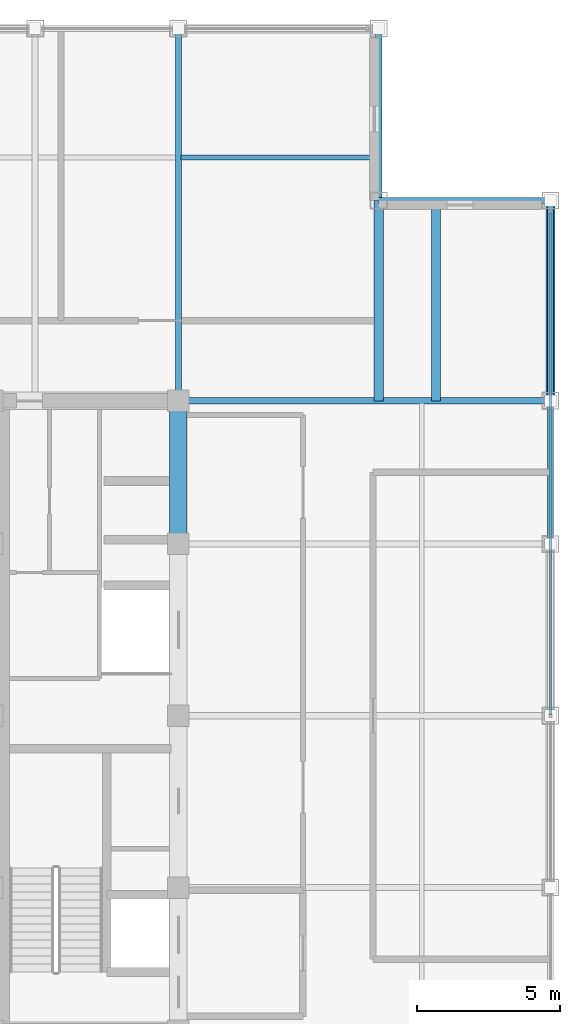
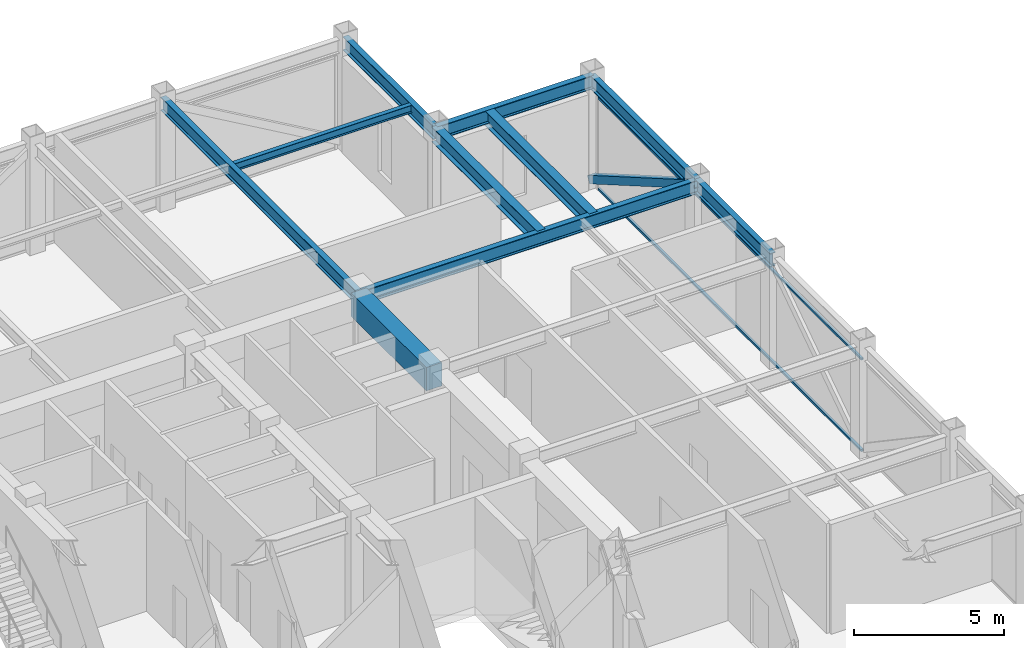
# One storey, part 19 of 27: 10 beams, 3 members, 1 element without a shape of its own.
"""IFC4 building model written with IfcOpenShell, lengths in metres."""

from ifc_helpers import new_model, si_unit, direction, frame, origin, origin_2d, place, context, subcontext, project, spatial, rectangle, hollow_rectangle, i_section, extrude, source, transform, mapped, material, material_profile, profile_set, type_object, element, aggregate, save


model = new_model("IFC4")

# Units and contexts
model_context = context("Model", 3, precision=1e-05, world=origin(), true_north=direction((0.0, 1.0)))
body_context = subcontext(model_context, "Body", "Model", "MODEL_VIEW")
ifc_project = project(units=[si_unit("LENGTHUNIT", "METRE"), si_unit("AREAUNIT", "SQUARE_METRE"), si_unit("VOLUMEUNIT", "CUBIC_METRE"), si_unit("PLANEANGLEUNIT", "RADIAN"), si_unit("MASSUNIT", "GRAM", prefix="KILO")], contexts=[model_context])

# Site, building, storey
site_placement = place(None, origin())
site = spatial("IfcSite", under=ifc_project, at=site_placement, CompositionType="ELEMENT")
building_placement = place(site_placement, origin())
building = spatial("IfcBuilding", under=site, at=building_placement, Name="Khorayat Bourse Tower", CompositionType="ELEMENT")
storey_placement = place(building_placement, frame((0.0, 0.0, 394.699951171875)))
storey = spatial("IfcBuildingStorey", under=building, at=storey_placement, Name="L93", CompositionType="ELEMENT", Elevation=394.699951171875)

# Beams
ifc_material_1 = material(Name="Concrete C60/75", Category="concrete")
ifc_material_profile_1 = material_profile(ifc_material_1, rectangle(XDim=0.60009765625, YDim=0.949951171875, at=origin_2d()), Name="RC 600x950")
ifc_profile_set_1 = profile_set([ifc_material_profile_1], Name="Concrete C60/75")
beam_type_1 = type_object("IfcBeamType", Name="BM-COUP-950", PredefinedType="BEAM", material=ifc_profile_set_1)
shared_shape_1 = source(origin(), body_context, "Body", "SweptSolid", [
    extrude(rectangle(XDim=0.60009765625, YDim=0.949951171875, at=origin_2d()), origin(), (0.0, 0.0, 1.0), 5.0),
])
beam_1_placement = place(storey_placement, frame((11.0, 6.0, 3.97509765625), z_axis=(0.0, 1.0, 0.0), x_axis=(-1.0, 0.0, 0.0)))
element("IfcBeam", 1, at=beam_1_placement, inside=storey, type_object=beam_type_1, Name="L93 BM-COUP-950 BM-L93-CRX-16", PredefinedType="BEAM", context=body_context, shape_type="MappedRepresentation", body=[
    mapped(shared_shape_1, transform((0.0, 0.0, 0.0), scale=1.0)),
])
ifc_material_2 = material(Name="Steel ASTM A992 Grade 50", Category="steel")
ifc_material_profile_2 = material_profile(ifc_material_2, i_section(OverallWidth=0.214111328125, OverallDepth=0.549072265625, WebThickness=0.0146484375, FlangeThickness=0.023681640625, FilletRadius=0.013916015625, at=origin_2d()), Name="W530X138")
ifc_profile_set_2 = profile_set([ifc_material_profile_2], Name="Steel ASTM A992 Grade 50")
beam_type_2 = type_object("IfcBeamType", Name="BM-SPAN-530", PredefinedType="SPANDREL", material=ifc_profile_set_2)
shared_shape_2 = source(origin(), body_context, "Body", "SweptSolid", [
    extrude(i_section(OverallWidth=0.214111328125, OverallDepth=0.549072265625, WebThickness=0.0146484375, FlangeThickness=0.023681640625, FilletRadius=0.013916015625, at=origin_2d()), origin(), (0.0, 0.0, 1.0), 5.0),
])
beam_2_placement = place(storey_placement, frame((24.0, 6.0, 4.175537109375), z_axis=(0.0, 1.0, 0.0), x_axis=(-1.0, 0.0, 0.0)))
element("IfcBeam", 2, at=beam_2_placement, inside=storey, type_object=beam_type_2, Name="L93 BM-SPAN-530 BM-L93-SPN-036", PredefinedType="SPANDREL", context=body_context, shape_type="MappedRepresentation", body=[
    mapped(shared_shape_2, transform((0.0, 0.0, 0.0), scale=1.0)),
])
shared_shape_3 = source(origin(), body_context, "Body", "SweptSolid", [
    extrude(i_section(OverallWidth=0.214111328125, OverallDepth=0.549072265625, WebThickness=0.0146484375, FlangeThickness=0.023681640625, FilletRadius=0.013916015625, at=origin_2d()), origin(), (0.0, 0.0, 1.0), 6.0),
])
for number, where, z_axis, x_axis, name in (
    (3, (18.0, 18.0, 4.175537109375), (1.0, 0.0, 0.0), (0.0, 1.0, 0.0), "L93 BM-SPAN-530 BM-L93-SPN-038"),
    (4, (18.0, 18.0, 4.175537109375), (0.0, 1.0, 0.0), (-1.0, 0.0, 0.0), "L93 BM-SPAN-530 BM-L93-SPN-039"),
):
    element("IfcBeam", number, at=place(storey_placement, frame(where, z_axis=z_axis, x_axis=x_axis)), inside=storey, type_object=beam_type_2, Name=name, PredefinedType="SPANDREL", context=body_context, shape_type="MappedRepresentation", body=[
        mapped(shared_shape_3, transform((0.0, 0.0, 0.0), scale=1.0)),
    ])
shared_shape_4 = source(origin(), body_context, "Body", "SweptSolid", [
    extrude(i_section(OverallWidth=0.214111328125, OverallDepth=0.549072265625, WebThickness=0.0146484375, FlangeThickness=0.023681640625, FilletRadius=0.013916015625, at=origin_2d()), origin(), (0.0, 0.0, 1.0), 7.0),
])
beam_3_placement = place(storey_placement, frame((24.0, 11.0, 4.175537109375), z_axis=(0.0, 1.0, 0.0), x_axis=(-1.0, 0.0, 0.0)))
element("IfcBeam", 5, at=beam_3_placement, inside=storey, type_object=beam_type_2, Name="L93 BM-SPAN-530 BM-L93-SPN-037", PredefinedType="SPANDREL", context=body_context, shape_type="MappedRepresentation", body=[
    mapped(shared_shape_4, transform((0.0, 0.0, 0.0), scale=1.0)),
])
ifc_material_profile_3 = material_profile(ifc_material_2, i_section(OverallWidth=0.214111328125, OverallDepth=0.549072265625, WebThickness=0.0146484375, FlangeThickness=0.023681640625, FilletRadius=0.013916015625, at=origin_2d()), Name="W530X138")
ifc_profile_set_3 = profile_set([ifc_material_profile_3], Name="Steel ASTM A992 Grade 50")
beam_type_3 = type_object("IfcBeamType", Name="BM-GIRD-530", PredefinedType="BEAM", material=ifc_profile_set_3)
shared_shape_5 = source(origin(), body_context, "Body", "SweptSolid", [
    extrude(i_section(OverallWidth=0.214111328125, OverallDepth=0.549072265625, WebThickness=0.0146484375, FlangeThickness=0.023681640625, FilletRadius=0.013916015625, at=origin_2d()), origin(), (0.0, 0.0, 1.0), 13.0),
])
for number, where, z_axis, x_axis, name in (
    (6, (11.0, 11.0, 4.175537109375), (0.0, 1.0, 0.0), (-1.0, 0.0, 0.0), "L93 BM-GIRD-530 BM-L93-RADY-064"),
    (7, (11.0, 11.0, 4.175537109375), (1.0, 0.0, 0.0), (0.0, 1.0, 0.0), "L93 BM-GIRD-530 BM-L93-RADX-074"),
):
    element("IfcBeam", number, at=place(storey_placement, frame(where, z_axis=z_axis, x_axis=x_axis)), inside=storey, type_object=beam_type_3, Name=name, PredefinedType="BEAM", context=body_context, shape_type="MappedRepresentation", body=[
        mapped(shared_shape_5, transform((0.0, 0.0, 0.0), scale=1.0)),
    ])
ifc_material_profile_4 = material_profile(ifc_material_2, i_section(OverallWidth=0.324951171875, OverallDepth=0.615966796875, WebThickness=0.013916015625, FlangeThickness=0.021484375, FilletRadius=0.01611328125, at=origin_2d()), Name="W610X174")
ifc_profile_set_4 = profile_set([ifc_material_profile_4], Name="Steel ASTM A992 Grade 50")
beam_type_4 = type_object("IfcBeamType", Name="BM-GIRD-610", PredefinedType="BEAM", material=ifc_profile_set_4)
shared_shape_6 = source(origin(), body_context, "Body", "SweptSolid", [
    extrude(i_section(OverallWidth=0.324951171875, OverallDepth=0.615966796875, WebThickness=0.013916015625, FlangeThickness=0.021484375, FilletRadius=0.01611328125, at=origin_2d()), origin(), (0.0, 0.0, 1.0), 7.0),
])
for number, where, z_axis, x_axis, name in (
    (8, (18.0, 11.0, 4.14208984375), (0.0, 1.0, 0.0), (-1.0, 0.0, 0.0), "L93 BM-GIRD-610 BM-L93-CNRY-079"),
    (9, (20.0, 11.0, 4.14208984375), (0.0, 1.0, 0.0), (-1.0, 0.0, 0.0), "L93 BM-GIRD-610 BM-L93-CNRY-083"),
):
    element("IfcBeam", number, at=place(storey_placement, frame(where, z_axis=z_axis, x_axis=x_axis)), inside=storey, type_object=beam_type_4, Name=name, PredefinedType="BEAM", context=body_context, shape_type="MappedRepresentation", body=[
        mapped(shared_shape_6, transform((0.0, 0.0, 0.0), scale=1.0)),
    ])
ifc_material_profile_5 = material_profile(ifc_material_2, i_section(OverallWidth=0.1669921875, OverallDepth=0.31689453125, WebThickness=0.007568359375, FlangeThickness=0.01318359375, FilletRadius=0.010009765625, at=origin_2d()), Name="W310X52")
ifc_profile_set_5 = profile_set([ifc_material_profile_5], Name="Steel ASTM A992 Grade 50")
beam_type_5 = type_object("IfcBeamType", Name="BM-JOIST-310", PredefinedType="JOIST", material=ifc_profile_set_5)
shared_shape_7 = source(origin(), body_context, "Body", "SweptSolid", [
    extrude(i_section(OverallWidth=0.1669921875, OverallDepth=0.31689453125, WebThickness=0.007568359375, FlangeThickness=0.01318359375, FilletRadius=0.010009765625, at=origin_2d()), origin(), (0.0, 0.0, 1.0), 6.81005859375),
])
beam_4_placement = place(storey_placement, frame((11.094970703125, 19.5, 4.29150390625), z_axis=(1.0, 0.0, 0.0), x_axis=(0.0, 1.0, 0.0)))
element("IfcBeam", 10, at=beam_4_placement, inside=storey, type_object=beam_type_5, Name="L93 BM-JOIST-310 BM-L93-JSTX-089", PredefinedType="JOIST", context=body_context, shape_type="MappedRepresentation", body=[
    mapped(shared_shape_7, transform((0.0, 0.0, 0.0), scale=1.0)),
])

# Member
ifc_material_3 = material(Name="Steel EN 10025-2 S355J2", Category="steel")
ifc_material_profile_6 = material_profile(ifc_material_3, hollow_rectangle(XDim=0.300048828125, YDim=0.300048828125, WallThickness=0.01611328125, at=origin_2d()), Name="HSS 300x300x16")
ifc_profile_set_6 = profile_set([ifc_material_profile_6], Name="Steel EN 10025-2 S355J2")
member_type_1 = type_object("IfcMemberType", Name="MBR-CROWN-300", PredefinedType="USERDEFINED", material=ifc_profile_set_6)
shared_shape_8 = source(origin(), body_context, "Body", "SweptSolid", [
    extrude(hollow_rectangle(XDim=0.300048828125, YDim=0.300048828125, WallThickness=0.01611328125, at=origin_2d()), origin(), (0.0, 0.0, 1.0), 8.087158203125),
])
member_1_placement = place(storey_placement, frame((24.0, 11.0, 4.25), z_axis=(0.0, 0.865564731219, -0.500797060763), x_axis=(-1.0, 0.0, 0.0)))
element("IfcMember", 11, at=member_1_placement, inside=storey, type_object=member_type_1, Name="L93 Lantern Crown Frame Member 16", ObjectType="CROWN FRAME", PredefinedType="USERDEFINED", context=body_context, shape_type="MappedRepresentation", body=[
    mapped(shared_shape_8, transform((0.0, 0.0, 0.0), scale=1.0)),
])

# Curtain wall, members
ifc_material_4 = material(Name="Aluminium EN AW-6063 T6", Category="aluminium")
curtain_wall_type = type_object("IfcCurtainWallType", Name="CW-SYS-07", PredefinedType="NOTDEFINED", material=ifc_material_4)
curtain_wall_placement = place(storey_placement, origin())
curtain_wall = element("IfcCurtainWall", 12, at=curtain_wall_placement, inside=storey, type_object=curtain_wall_type, Name="L93 Curtain Wall CW-L93-E1", PredefinedType="NOTDEFINED")
ifc_material_profile_7 = material_profile(ifc_material_4, hollow_rectangle(XDim=0.090087890625, YDim=0.090087890625, WallThickness=0.00390625, at=origin_2d()), Name="ALU 90x90x4")
ifc_profile_set_7 = profile_set([ifc_material_profile_7], Name="Aluminium EN AW-6063 T6")
member_type_2 = type_object("IfcMemberType", Name="CWT-HORZ-90", PredefinedType="USERDEFINED", material=ifc_profile_set_7)
shared_shape_9 = source(origin(), body_context, "Body", "SweptSolid", [
    extrude(hollow_rectangle(XDim=0.090087890625, YDim=0.090087890625, WallThickness=0.00390625, at=origin_2d()), origin(), (0.0, 0.0, 1.0), 17.5),
])
member_2_placement = place(storey_placement, frame((24.0, 0.050048828125, 0.045166015625), z_axis=(0.0, 1.0, 0.0), x_axis=(-1.0, 0.0, 0.0)))
member_2 = element("IfcMember", 13, at=member_2_placement, type_object=member_type_2, Name="CW-L93-E1 Horizontal Transom 2-1", ObjectType="TRANSOM", PredefinedType="USERDEFINED", context=body_context, shape_type="MappedRepresentation", body=[
    mapped(shared_shape_9, transform((0.0, 0.0, 0.0), scale=1.0)),
])
member_3_placement = place(storey_placement, frame((24.0, 0.050048828125, 3.755126953125), z_axis=(0.0, 1.0, 0.0), x_axis=(-1.0, 0.0, 0.0)))
member_3 = element("IfcMember", 14, at=member_3_placement, type_object=member_type_2, Name="CW-L93-E1 Horizontal Transom 2-2", ObjectType="TRANSOM", PredefinedType="USERDEFINED", context=body_context, shape_type="MappedRepresentation", body=[
    mapped(shared_shape_9, transform((0.0, 0.0, 0.0), scale=1.0)),
])
aggregate(curtain_wall, [member_2, member_3])

save(model, "model.ifc")
